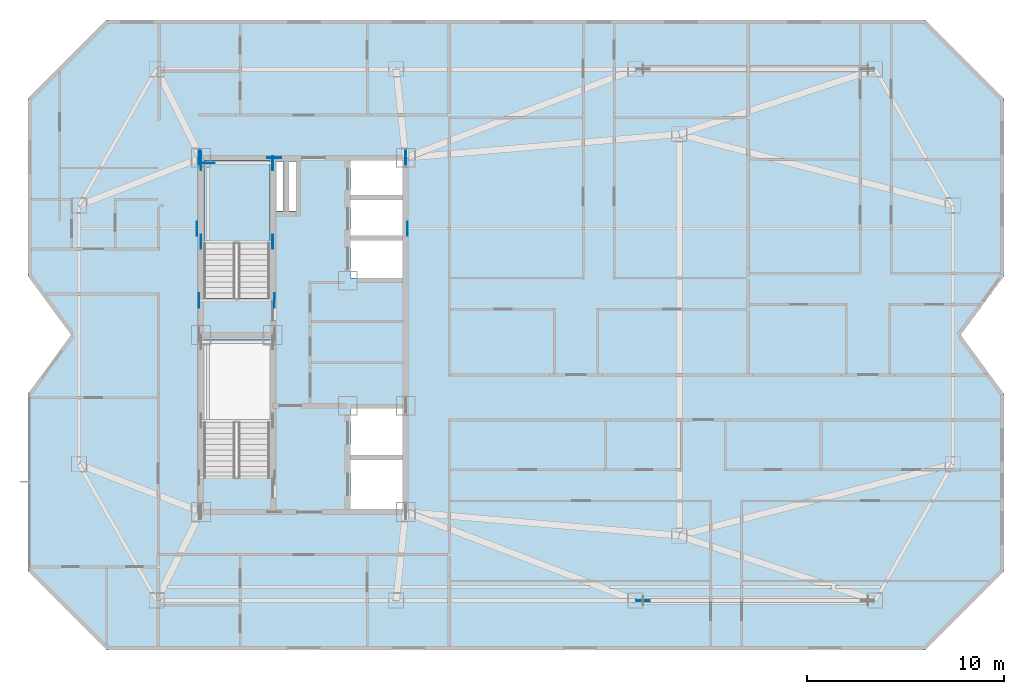
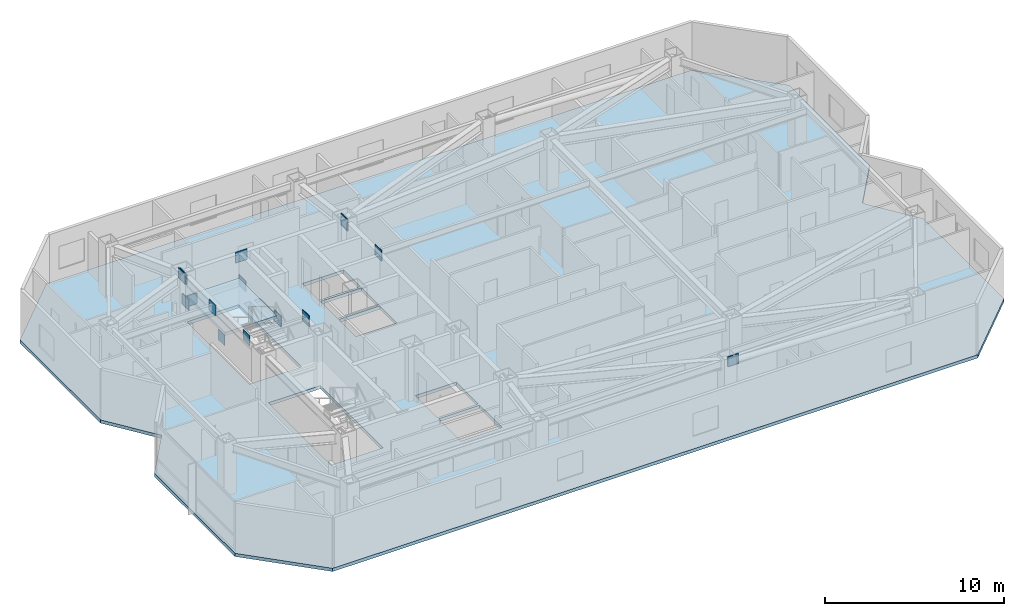
# One storey, part 6 of 14: 15 plates, 2 slabs, 1 element without a shape of its own.
"""IFC4 building model written with IfcOpenShell, lengths in metres."""

from ifc_helpers import new_model, si_unit, direction, frame, origin, origin_2d, place, context, subcontext, project, spatial, polyline, rectangle, outline, extrude, material, layer, layer_set, type_object, element, aggregate, save


model = new_model("IFC4")

# Units and contexts
model_context = context("Model", 3, precision=1e-05, world=origin(), true_north=direction((0.0, 1.0)))
body_context = subcontext(model_context, "Body", "Model", "MODEL_VIEW")
ifc_project = project(units=[si_unit("LENGTHUNIT", "METRE"), si_unit("AREAUNIT", "SQUARE_METRE"), si_unit("VOLUMEUNIT", "CUBIC_METRE"), si_unit("PLANEANGLEUNIT", "RADIAN"), si_unit("MASSUNIT", "GRAM", prefix="KILO")], contexts=[model_context])

# Site, building, storey
site_placement = place(None, origin())
site = spatial("IfcSite", under=ifc_project, at=site_placement, CompositionType="ELEMENT")
building_placement = place(site_placement, origin())
building = spatial("IfcBuilding", under=site, at=building_placement, Name="Khamvora Tower", CompositionType="ELEMENT")
storey_placement = place(building_placement, frame((0.0, 0.0, 231.800048828125)))
storey = spatial("IfcBuildingStorey", under=building, at=storey_placement, Name="L59", CompositionType="ELEMENT", Elevation=231.800048828125)

# Plates
ifc_material_1 = material(Name="Steel S460", Category="steel")
ifc_layer_1 = layer(ifc_material_1, 0.034912109375)
ifc_layer_set_1 = layer_set([ifc_layer_1], Name="Steel S460")
plate_type_1 = type_object("IfcPlateType", Name="PL-EMB-35", PredefinedType="SHEET", material=ifc_layer_set_1)
for number, where, z_axis, x_axis, name in (
    (1, (29.0, 32.735107421875, 1.1337890625), (0.0, 0.0, 1.0), (1.0, 0.0, 0.0), "L59 core shear wall cast-in embed plate 1720"),
    (2, (32.64990234375, 32.735107421875, 1.1337890625), (0.0, 0.0, 1.0), (1.0, 0.0, 0.0), "L59 core shear wall cast-in embed plate 1721"),
    (3, (29.0, 36.72998046875, 1.1337890625), (0.0, 0.0, 1.0), (1.0, 0.0, 0.0), "L59 core shear wall cast-in embed plate 1722"),
    (4, (32.64990234375, 36.72998046875, 1.1337890625), (0.0, 0.0, 1.0), (1.0, 0.0, 0.0), "L59 core shear wall cast-in embed plate 1723"),
):
    element("IfcPlate", number, at=place(storey_placement, frame(where, z_axis=z_axis, x_axis=x_axis)), inside=storey, type_object=plate_type_1, Name=name, PredefinedType="SHEET", context=body_context, shape_type="SweptSolid", body=[
        extrude(rectangle(XDim=0.034912109375, YDim=0.719970703125, at=origin_2d()), origin(), (0.0, 0.0, 1.0), 0.719970703125),
    ])
plate_1_placement = place(storey_placement, frame((29.35009765625, 36.72998046875, 1.1337890625), z_axis=(0.0, 0.0, 1.0), x_axis=(1.0, 0.0, 0.0)))
element("IfcPlate", 5, at=plate_1_placement, inside=storey, type_object=plate_type_1, Name="L59 core shear wall cast-in embed plate 1724", PredefinedType="SHEET", context=body_context, shape_type="SweptSolid", body=[
    extrude(rectangle(XDim=0.719970703125, YDim=0.034912109375, at=origin_2d()), origin(), (0.0, 0.0, 1.0), 0.719970703125),
])
for number, where, z_axis, x_axis, name in (
    (6, (29.0, 37.0, 2.72216796875), (0.0, 0.0, 1.0), (1.0, 0.0, 0.0), "L59 core shear wall cast-in embed plate 1727"),
    (7, (39.39990234375, 37.0, 2.72216796875), (0.0, 0.0, 1.0), (1.0, 0.0, 0.0), "L59 core shear wall cast-in embed plate 1728"),
    (8, (28.89990234375, 37.0, 2.802734375), (0.0, 0.0, 1.0), (1.0, 0.0, 0.0), "L59 core shear wall cast-in embed plate 1731"),
):
    element("IfcPlate", number, at=place(storey_placement, frame(where, z_axis=z_axis, x_axis=x_axis)), inside=storey, type_object=plate_type_1, Name=name, PredefinedType="SHEET", context=body_context, shape_type="SweptSolid", body=[
        extrude(rectangle(XDim=0.034912109375, YDim=0.719970703125, at=origin_2d()), origin(), (0.0, 0.0, 1.0), 0.719970703125),
    ])
plate_2_placement = place(storey_placement, frame((32.72998046875, 37.0, 2.802734375), z_axis=(0.0, 0.0, 1.0), x_axis=(1.0, 0.0, 0.0)))
element("IfcPlate", 9, at=plate_2_placement, inside=storey, type_object=plate_type_1, Name="L59 core shear wall cast-in embed plate 1734", PredefinedType="SHEET", context=body_context, shape_type="SweptSolid", body=[
    extrude(rectangle(XDim=0.719970703125, YDim=0.034912109375, at=origin_2d()), origin(), (0.0, 0.0, 1.0), 0.719970703125),
])
for number, where, z_axis, x_axis, name in (
    (10, (39.39990234375, 37.0, 2.802734375), (0.0, 0.0, 1.0), (1.0, 0.0, 0.0), "L59 core shear wall cast-in embed plate 1737"),
    (11, (28.89990234375, 29.75, 2.94384765625), (0.0, 0.0, 1.0), (1.0, 0.0, 0.0), "L59 core shear wall cast-in embed plate 1740"),
    (12, (32.72998046875, 29.75, 2.94384765625), (0.0, 0.0, 1.0), (1.0, 0.0, 0.0), "L59 core shear wall cast-in embed plate 1741"),
    (13, (28.800048828125, 33.39990234375, 2.83984375), (0.0, 0.0, 1.0), (1.0, 0.0, 0.0), "L59 core shear wall cast-in embed plate 1742"),
    (14, (39.4990234375, 33.39990234375, 2.83984375), (0.0, 0.0, 1.0), (1.0, 0.0, 0.0), "L59 core shear wall cast-in embed plate 1743"),
):
    element("IfcPlate", number, at=place(storey_placement, frame(where, z_axis=z_axis, x_axis=x_axis)), inside=storey, type_object=plate_type_1, Name=name, PredefinedType="SHEET", context=body_context, shape_type="SweptSolid", body=[
        extrude(rectangle(XDim=0.034912109375, YDim=0.719970703125, at=origin_2d()), origin(), (0.0, 0.0, 1.0), 0.719970703125),
    ])
ifc_layer_2 = layer(ifc_material_1, 0.0400390625)
ifc_layer_set_2 = layer_set([ifc_layer_2], Name="Steel S460")
plate_type_2 = type_object("IfcPlateType", Name="PLT-GUS-40", PredefinedType="SHEET", material=ifc_layer_set_2)
plate_3_placement = place(storey_placement, frame((51.462890625, 14.5, 2.80810546875), z_axis=(0.0, 0.0, 1.0), x_axis=(1.0, 0.0, 0.0)))
element("IfcPlate", 15, at=plate_3_placement, inside=storey, type_object=plate_type_2, Name="L59 brace connection node gusset plate 0390", PredefinedType="SHEET", context=body_context, shape_type="SweptSolid", body=[
    extrude(rectangle(XDim=0.679931640625, YDim=0.0400390625, at=origin_2d()), origin(), (0.0, 0.0, 1.0), 0.679931640625),
])

# Stair, slab
ifc_material_2 = material(Name="Concrete C40/50", Category="concrete")
stair_type = type_object("IfcStairType", Name="STR-ST-02", PredefinedType="HALF_TURN_STAIR", material=ifc_material_2)
stair_placement = place(storey_placement, origin())
stair = element("IfcStair", 16, at=stair_placement, inside=storey, type_object=stair_type, Name="L59 North Tower Exit Stair ST-02", PredefinedType="HALF_TURN_STAIR")
ifc_layer_3 = layer(ifc_material_2, 0.199951171875)
ifc_layer_set_3 = layer_set([ifc_layer_3], Name="Concrete C40/50")
slab_type_1 = type_object("IfcSlabType", Name="SLB-LND-200", PredefinedType="LANDING", material=ifc_layer_set_3)
slab_1_placement = place(storey_placement, frame((0.0, 0.0, 1.625)))
slab_1 = element("IfcSlab", 17, at=slab_1_placement, type_object=slab_type_1, Name="ST-02 landing 1", PredefinedType="LANDING", context=body_context, shape_type="SweptSolid", body=[
    extrude(outline(polyline([(32.5, 32.614990234375), (32.5, 36.85009765625), (29.14990234375, 36.85009765625), (29.14990234375, 32.614990234375), (32.5, 32.614990234375)])), origin(), (0.0, 0.0, 1.0), 0.199951171875),
])
aggregate(stair, [slab_1])

# Slab
ifc_material_3 = material(Name="Concrete C35/45", Category="concrete")
ifc_layer_4 = layer(ifc_material_3, 0.219970703125)
ifc_layer_set_4 = layer_set([ifc_layer_4], Name="Concrete C35/45")
slab_type_2 = type_object("IfcSlabType", Name="SLB-TYP-220", PredefinedType="FLOOR", material=ifc_layer_set_4)
slab_2_placement = place(storey_placement, frame((0.0, 0.0, -0.219970703125)))
element("IfcSlab", 18, at=slab_2_placement, inside=storey, type_object=slab_type_2, Name="L59 structural floor slab", PredefinedType="FLOOR", context=body_context, shape_type="SweptSolid", body=[
    extrude(outline(polyline([(24.199951171875, 12.0), (65.800048828125, 12.0), (69.800048828125, 16.0), (69.800048828125, 25.0), (67.60009765625, 28.0), (69.800048828125, 31.0), (69.800048828125, 40.0), (65.800048828125, 44.0), (24.199951171875, 44.0), (20.199951171875, 40.0), (20.199951171875, 31.0), (22.39990234375, 28.0), (20.199951171875, 25.0), (20.199951171875, 16.0), (24.199951171875, 12.0)]), holes=[polyline([(32.5, 20.760009765625), (32.5, 27.75), (29.14990234375, 27.75), (29.14990234375, 20.760009765625), (32.5, 20.760009765625)]), polyline([(32.5, 29.860107421875), (32.5, 36.85009765625), (29.14990234375, 36.85009765625), (29.14990234375, 29.860107421875), (32.5, 29.860107421875)]), polyline([(36.60009765625, 19.14990234375), (39.25, 19.14990234375), (39.25, 21.64990234375), (36.60009765625, 21.64990234375), (36.60009765625, 19.14990234375)]), polyline([(36.60009765625, 21.800048828125), (39.25, 21.800048828125), (39.25, 24.25), (36.60009765625, 24.25), (36.60009765625, 21.800048828125)]), polyline([(36.60009765625, 30.89990234375), (39.25, 30.89990234375), (39.25, 32.800048828125), (36.60009765625, 32.800048828125), (36.60009765625, 30.89990234375)]), polyline([(36.60009765625, 32.949951171875), (39.25, 32.949951171875), (39.25, 34.85009765625), (36.60009765625, 34.85009765625), (36.60009765625, 32.949951171875)]), polyline([(36.60009765625, 35.0), (39.25, 35.0), (39.25, 36.85009765625), (36.60009765625, 36.85009765625), (36.60009765625, 35.0)]), polyline([(32.800048828125, 34.300048828125), (33.199951171875, 34.300048828125), (33.199951171875, 36.800048828125), (32.800048828125, 36.800048828125), (32.800048828125, 34.300048828125)]), polyline([(33.47998046875, 34.300048828125), (33.820068359375, 34.300048828125), (33.820068359375, 36.800048828125), (33.47998046875, 36.800048828125), (33.47998046875, 34.300048828125)])]), origin(), (0.0, 0.0, 1.0), 0.219970703125),
])

save(model, "model.ifc")
